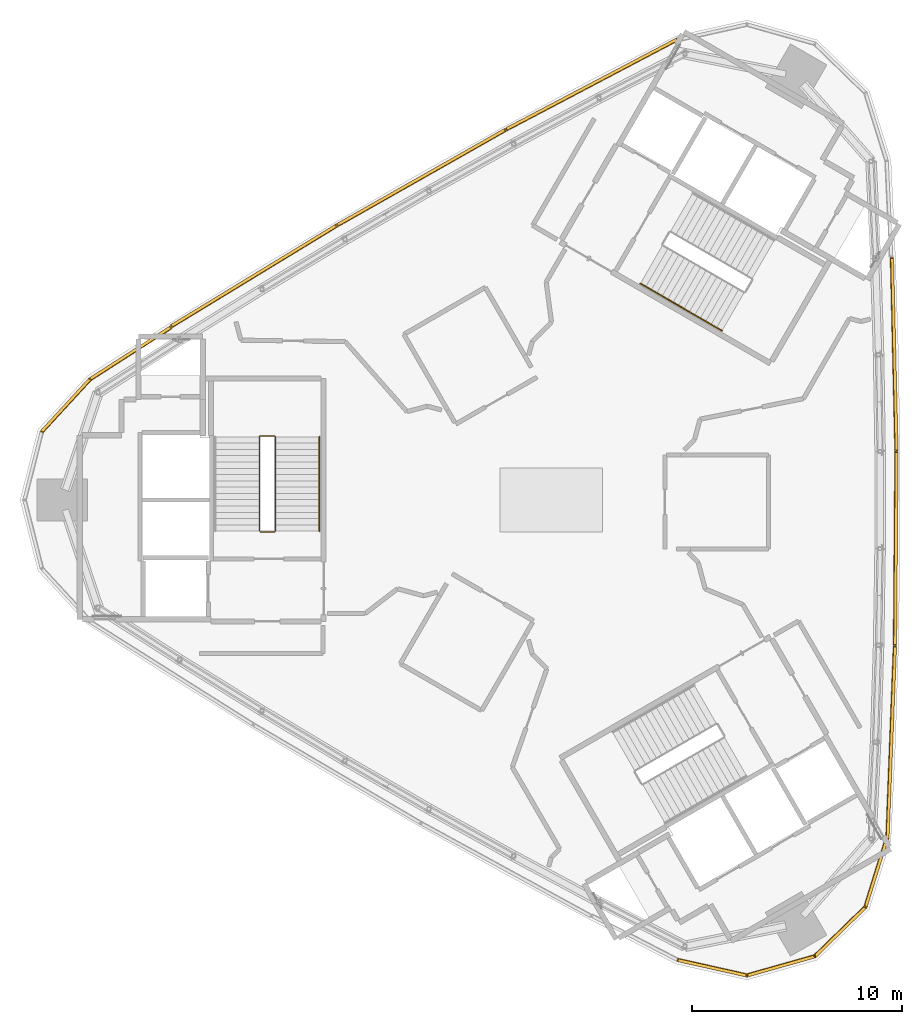
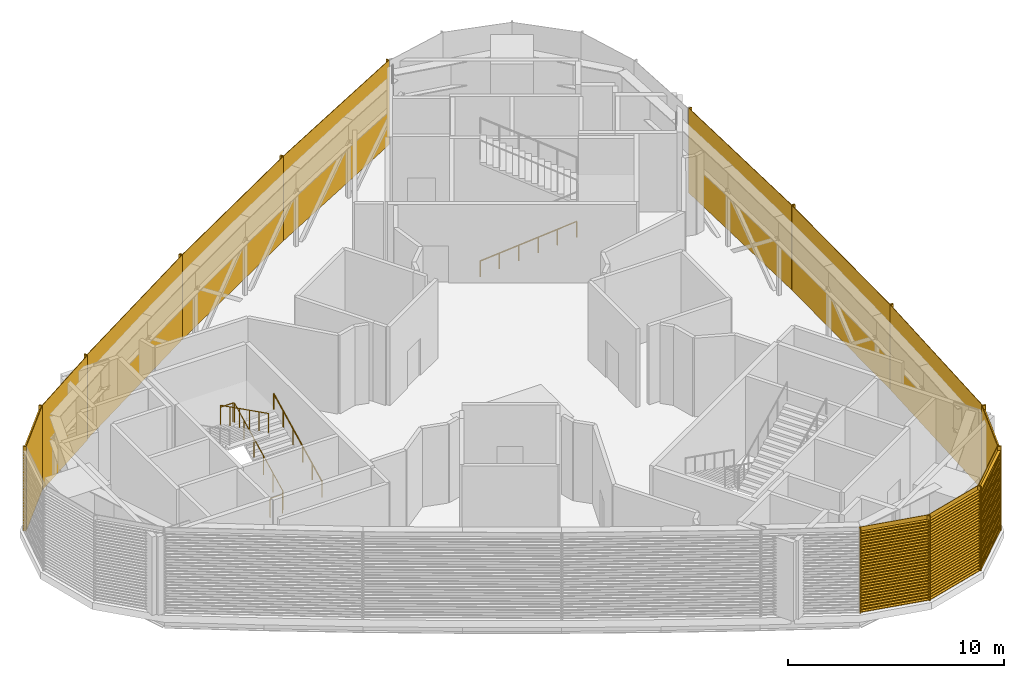
# One storey, part 20 of 21: 12 coverings, 3 railings.
"""IFC4 building model written with IfcOpenShell, lengths in metres."""

from ifc_helpers import new_model, si_unit, direction, frame, frame_2d, origin, origin_2d, place, context, subcontext, project, spatial, rectangle, circle, extrude, source, transform, mapped, material, type_object, element, save


model = new_model("IFC4")

# Units and contexts
model_context = context("Model", 3, precision=1e-05, world=origin(), true_north=direction((0.0, 1.0)))
body_context = subcontext(model_context, "Body", "Model", "MODEL_VIEW")
ifc_project = project(units=[si_unit("LENGTHUNIT", "METRE"), si_unit("AREAUNIT", "SQUARE_METRE"), si_unit("VOLUMEUNIT", "CUBIC_METRE"), si_unit("PLANEANGLEUNIT", "RADIAN"), si_unit("MASSUNIT", "GRAM", prefix="KILO")], contexts=[model_context])

# Site, building, storey
site_placement = place(None, origin())
site = spatial("IfcSite", under=ifc_project, at=site_placement, CompositionType="ELEMENT")
building_placement = place(site_placement, origin())
building = spatial("IfcBuilding", under=site, at=building_placement, Name="Tamra Quay Hotel Tower", CompositionType="ELEMENT")
storey_placement = place(building_placement, frame((0.0, 0.0, 301.800048828125)))
storey = spatial("IfcBuildingStorey", under=building, at=storey_placement, Name="L76", CompositionType="ELEMENT", Elevation=301.800048828125)

# Railings
ifc_material_1 = material(Name="Stair guard 1100")
railing_type_1 = type_object("IfcRailingType", Name="Stair guard 1100", PredefinedType="GUARDRAIL", material=ifc_material_1)
railing_1_placement = place(storey_placement, frame((-13.84130859375, -1.530029296875, 0.0)))
element("IfcRailing", 1, at=railing_1_placement, inside=storey, type_object=railing_type_1, Name="GR", PredefinedType="GUARDRAIL", context=body_context, shape_type="SweptSolid", body=[
    extrude(circle(Radius=0.02392578125, at=origin_2d()), frame((0.0, 0.0, 1.076171875), z_axis=(1.0, 0.0, 0.0), x_axis=(0.0, 1.0, 0.0)), (0.0, 0.0, 1.0), 0.658935546875),
    extrude(circle(Radius=0.02392578125, at=origin_2d()), frame((0.658935546875, 0.0, 1.076171875), z_axis=(0.301912943143, 0.301912943143, 0.904266083366), x_axis=(-0.707106781187, 0.707106781187, 0.0)), (0.0, 0.0, 1.0), 0.165771484375),
    extrude(circle(Radius=0.02392578125, at=origin_2d()), frame((0.708984375, 0.050048828125, 1.22607421875), z_axis=(0.0, 0.893823034308, 0.448419873935), x_axis=(-1.0, 0.0, 0.0)), (0.0, 0.0, 1.0), 5.017578125),
    extrude(circle(Radius=0.02392578125, at=origin_2d()), frame((0.708984375, 4.534912109375, 3.47607421875), z_axis=(-0.707106781187, 0.707106781187, 0.0), x_axis=(-0.707106781187, -0.707106781187, 0.0)), (0.0, 0.0, 1.0), 0.07080078125),
    extrude(circle(Radius=0.02392578125, at=origin_2d()), frame((0.658935546875, 4.5849609375, 3.47607421875), z_axis=(-1.0, 0.0, 0.0), x_axis=(0.0, -1.0, 0.0)), (0.0, 0.0, 1.0), 0.658935546875),
    extrude(circle(Radius=0.02392578125, at=origin_2d()), frame((0.0, 4.5849609375, 3.47607421875), z_axis=(-0.301511344578, -0.301511344578, 0.904534033733), x_axis=(0.707106781187, -0.707106781187, 0.0)), (0.0, 0.0, 1.0), 0.166015625),
    extrude(circle(Radius=0.02392578125, at=origin_2d()), frame((-0.050048828125, 4.534912109375, 3.6259765625), z_axis=(0.0, -0.893823034308, 0.448419873935), x_axis=(1.0, 0.0, 0.0)), (0.0, 0.0, 1.0), 5.017578125),
    extrude(circle(Radius=0.02099609375, at=origin_2d()), origin(), (0.0, 0.0, 1.0), 1.052001953125),
    extrude(circle(Radius=0.02099609375, at=origin_2d()), frame((0.658935546875, 0.0, 0.0)), (0.0, 0.0, 1.0), 1.052001953125),
    extrude(circle(Radius=0.02099609375, at=origin_2d()), frame((0.708984375, 0.050048828125, 0.14990234375)), (0.0, 0.0, 1.0), 1.052001953125),
    extrude(circle(Radius=0.02099609375, at=origin_2d()), frame((0.708984375, 0.947021484375, 0.599853515625)), (0.0, 0.0, 1.0), 1.052001953125),
    extrude(circle(Radius=0.02099609375, at=origin_2d()), frame((0.708984375, 1.843994140625, 1.0498046875)), (0.0, 0.0, 1.0), 1.052001953125),
    extrude(circle(Radius=0.02099609375, at=origin_2d()), frame((0.708984375, 2.740966796875, 1.5)), (0.0, 0.0, 1.0), 1.052001953125),
    extrude(circle(Radius=0.02099609375, at=origin_2d()), frame((0.708984375, 3.637939453125, 1.949951171875)), (0.0, 0.0, 1.0), 1.052001953125),
    extrude(circle(Radius=0.02099609375, at=origin_2d()), frame((0.708984375, 4.534912109375, 2.39990234375)), (0.0, 0.0, 1.0), 1.052001953125),
    extrude(circle(Radius=0.02099609375, at=origin_2d()), frame((0.658935546875, 4.5849609375, 2.39990234375)), (0.0, 0.0, 1.0), 1.052001953125),
    extrude(circle(Radius=0.02099609375, at=origin_2d()), frame((0.0, 4.5849609375, 2.39990234375)), (0.0, 0.0, 1.0), 1.052001953125),
    extrude(circle(Radius=0.02099609375, at=origin_2d()), frame((-0.050048828125, 4.534912109375, 2.550048828125)), (0.0, 0.0, 1.0), 1.052001953125),
    extrude(circle(Radius=0.02099609375, at=origin_2d()), frame((-0.050048828125, 3.637939453125, 3.0)), (0.0, 0.0, 1.0), 1.052001953125),
    extrude(circle(Radius=0.02099609375, at=origin_2d()), frame((-0.050048828125, 2.740966796875, 3.449951171875)), (0.0, 0.0, 1.0), 1.052001953125),
    extrude(circle(Radius=0.02099609375, at=origin_2d()), frame((-0.050048828125, 1.843994140625, 3.900146484375)), (0.0, 0.0, 1.0), 1.052001953125),
    extrude(circle(Radius=0.02099609375, at=origin_2d()), frame((-0.050048828125, 0.947021484375, 4.35009765625)), (0.0, 0.0, 1.0), 1.052001953125),
    extrude(circle(Radius=0.02099609375, at=origin_2d()), frame((-0.050048828125, 0.050048828125, 4.800048828125)), (0.0, 0.0, 1.0), 1.052001953125),
])
ifc_material_2 = material(Name="Stair handrail 900")
railing_type_2 = type_object("IfcRailingType", Name="Stair handrail 900", PredefinedType="HANDRAIL", material=ifc_material_2)
railing_2_placement = place(storey_placement, frame((-11.0322265625, -1.47998046875, 0.14990234375)))
element("IfcRailing", 2, at=railing_2_placement, inside=storey, type_object=railing_type_2, Name="HR", PredefinedType="HANDRAIL", context=body_context, shape_type="SweptSolid", body=[
    extrude(circle(Radius=0.02392578125, at=origin_2d()), frame((0.0, 0.0, 0.8759765625), z_axis=(0.0, 0.893823034308, 0.448419873935), x_axis=(-1.0, 0.0, 0.0)), (0.0, 0.0, 1.0), 5.017578125),
    extrude(circle(Radius=0.02099609375, at=origin_2d()), origin(), (0.0, 0.0, 1.0), 0.851806640625),
    extrude(circle(Radius=0.02099609375, at=origin_2d()), frame((0.0, 0.89697265625, 0.449951171875)), (0.0, 0.0, 1.0), 0.851806640625),
    extrude(circle(Radius=0.02099609375, at=origin_2d()), frame((0.0, 1.7939453125, 0.89990234375)), (0.0, 0.0, 1.0), 0.851806640625),
    extrude(circle(Radius=0.02099609375, at=origin_2d()), frame((0.0, 2.69091796875, 1.35009765625)), (0.0, 0.0, 1.0), 0.851806640625),
    extrude(circle(Radius=0.02099609375, at=origin_2d()), frame((0.0, 3.587890625, 1.800048828125)), (0.0, 0.0, 1.0), 0.851806640625),
    extrude(circle(Radius=0.02099609375, at=origin_2d()), frame((0.0, 4.48486328125, 2.25)), (0.0, 0.0, 1.0), 0.851806640625),
])
railing_3_placement = place(storey_placement, frame((4.234375, 10.294189453125, 0.14990234375)))
element("IfcRailing", 3, at=railing_3_placement, inside=storey, type_object=railing_type_2, Name="HR", PredefinedType="HANDRAIL", context=body_context, shape_type="SweptSolid", body=[
    extrude(circle(Radius=0.02392578125, at=origin_2d()), frame((0.0, 0.0, 0.8759765625), z_axis=(0.774075664405, -0.446909609502, 0.448417959844), x_axis=(0.499997328569, 0.86602694613, 0.0)), (0.0, 0.0, 1.0), 5.017578125),
    extrude(circle(Radius=0.02099609375, at=origin_2d()), origin(), (0.0, 0.0, 1.0), 0.851806640625),
    extrude(circle(Radius=0.02099609375, at=origin_2d()), frame((0.77685546875, -0.448486328125, 0.449951171875)), (0.0, 0.0, 1.0), 0.851806640625),
    extrude(circle(Radius=0.02099609375, at=origin_2d()), frame((1.5537109375, -0.89697265625, 0.89990234375)), (0.0, 0.0, 1.0), 0.851806640625),
    extrude(circle(Radius=0.02099609375, at=origin_2d()), frame((2.330322265625, -1.345458984375, 1.35009765625)), (0.0, 0.0, 1.0), 0.851806640625),
    extrude(circle(Radius=0.02099609375, at=origin_2d()), frame((3.107177734375, -1.7939453125, 1.800048828125)), (0.0, 0.0, 1.0), 0.851806640625),
    extrude(circle(Radius=0.02099609375, at=origin_2d()), frame((3.884033203125, -2.242431640625, 2.25)), (0.0, 0.0, 1.0), 0.851806640625),
])

# Coverings
ifc_material_3 = material(Name="Terracotta louvre panel", Category="masonry")
covering_type = type_object("IfcCoveringType", Name="PLANT LOUVRE H4800", PredefinedType="USERDEFINED", material=ifc_material_3)
shared_shape_1 = source(origin(), body_context, "Body", "SweptSolid", [
    extrude(rectangle(XDim=4.60009765625, YDim=0.030029296875, at=frame_2d((2.300048828125, 0.01513671875))), frame((-2.300048828125, -0.030029296875, 0.0)), (0.0, 0.0, 1.0), 4.800048828125),
    extrude(rectangle(XDim=0.050048828125, YDim=0.139892578125, at=frame_2d((0.02490234375, 0.06982421875))), frame((-2.300048828125, -0.169921875, 0.0)), (0.0, 0.0, 1.0), 4.800048828125),
    extrude(rectangle(XDim=0.050048828125, YDim=0.139892578125, at=frame_2d((0.02490234375, 0.06982421875))), frame((2.25, -0.169921875, 0.0)), (0.0, 0.0, 1.0), 4.800048828125),
    extrude(rectangle(XDim=4.5, YDim=0.139892578125, at=frame_2d((2.25, 0.06982421875))), frame((-2.25, -0.169921875, 0.050048828125)), (0.0, 0.0, 1.0), 0.034912109375),
    extrude(rectangle(XDim=4.5, YDim=0.139892578125, at=frame_2d((2.25, 0.06982421875))), frame((-2.25, -0.169921875, 0.2099609375)), (0.0, 0.0, 1.0), 0.034912109375),
    extrude(rectangle(XDim=4.5, YDim=0.139892578125, at=frame_2d((2.25, 0.06982421875))), frame((-2.25, -0.169921875, 0.3701171875)), (0.0, 0.0, 1.0), 0.034912109375),
    extrude(rectangle(XDim=4.5, YDim=0.139892578125, at=frame_2d((2.25, 0.06982421875))), frame((-2.25, -0.169921875, 0.530029296875)), (0.0, 0.0, 1.0), 0.034912109375),
    extrude(rectangle(XDim=4.5, YDim=0.139892578125, at=frame_2d((2.25, 0.06982421875))), frame((-2.25, -0.169921875, 0.68994140625)), (0.0, 0.0, 1.0), 0.034912109375),
    extrude(rectangle(XDim=4.5, YDim=0.139892578125, at=frame_2d((2.25, 0.06982421875))), frame((-2.25, -0.169921875, 0.85009765625)), (0.0, 0.0, 1.0), 0.034912109375),
    extrude(rectangle(XDim=4.5, YDim=0.139892578125, at=frame_2d((2.25, 0.06982421875))), frame((-2.25, -0.169921875, 1.010009765625)), (0.0, 0.0, 1.0), 0.034912109375),
    extrude(rectangle(XDim=4.5, YDim=0.139892578125, at=frame_2d((2.25, 0.06982421875))), frame((-2.25, -0.169921875, 1.169921875)), (0.0, 0.0, 1.0), 0.034912109375),
    extrude(rectangle(XDim=4.5, YDim=0.139892578125, at=frame_2d((2.25, 0.06982421875))), frame((-2.25, -0.169921875, 1.330078125)), (0.0, 0.0, 1.0), 0.034912109375),
    extrude(rectangle(XDim=4.5, YDim=0.139892578125, at=frame_2d((2.25, 0.06982421875))), frame((-2.25, -0.169921875, 1.489990234375)), (0.0, 0.0, 1.0), 0.034912109375),
    extrude(rectangle(XDim=4.5, YDim=0.139892578125, at=frame_2d((2.25, 0.06982421875))), frame((-2.25, -0.169921875, 1.64990234375)), (0.0, 0.0, 1.0), 0.034912109375),
    extrude(rectangle(XDim=4.5, YDim=0.139892578125, at=frame_2d((2.25, 0.06982421875))), frame((-2.25, -0.169921875, 1.81005859375)), (0.0, 0.0, 1.0), 0.034912109375),
    extrude(rectangle(XDim=4.5, YDim=0.139892578125, at=frame_2d((2.25, 0.06982421875))), frame((-2.25, -0.169921875, 1.969970703125)), (0.0, 0.0, 1.0), 0.034912109375),
    extrude(rectangle(XDim=4.5, YDim=0.139892578125, at=frame_2d((2.25, 0.06982421875))), frame((-2.25, -0.169921875, 2.1298828125)), (0.0, 0.0, 1.0), 0.034912109375),
    extrude(rectangle(XDim=4.5, YDim=0.139892578125, at=frame_2d((2.25, 0.06982421875))), frame((-2.25, -0.169921875, 2.2900390625)), (0.0, 0.0, 1.0), 0.034912109375),
    extrude(rectangle(XDim=4.5, YDim=0.139892578125, at=frame_2d((2.25, 0.06982421875))), frame((-2.25, -0.169921875, 2.449951171875)), (0.0, 0.0, 1.0), 0.034912109375),
    extrude(rectangle(XDim=4.5, YDim=0.139892578125, at=frame_2d((2.25, 0.06982421875))), frame((-2.25, -0.169921875, 2.610107421875)), (0.0, 0.0, 1.0), 0.034912109375),
    extrude(rectangle(XDim=4.5, YDim=0.139892578125, at=frame_2d((2.25, 0.06982421875))), frame((-2.25, -0.169921875, 2.77001953125)), (0.0, 0.0, 1.0), 0.034912109375),
    extrude(rectangle(XDim=4.5, YDim=0.139892578125, at=frame_2d((2.25, 0.06982421875))), frame((-2.25, -0.169921875, 2.929931640625)), (0.0, 0.0, 1.0), 0.034912109375),
    extrude(rectangle(XDim=4.5, YDim=0.139892578125, at=frame_2d((2.25, 0.06982421875))), frame((-2.25, -0.169921875, 3.090087890625)), (0.0, 0.0, 1.0), 0.034912109375),
    extrude(rectangle(XDim=4.5, YDim=0.139892578125, at=frame_2d((2.25, 0.06982421875))), frame((-2.25, -0.169921875, 3.25)), (0.0, 0.0, 1.0), 0.034912109375),
    extrude(rectangle(XDim=4.5, YDim=0.139892578125, at=frame_2d((2.25, 0.06982421875))), frame((-2.25, -0.169921875, 3.409912109375)), (0.0, 0.0, 1.0), 0.034912109375),
    extrude(rectangle(XDim=4.5, YDim=0.139892578125, at=frame_2d((2.25, 0.06982421875))), frame((-2.25, -0.169921875, 3.570068359375)), (0.0, 0.0, 1.0), 0.034912109375),
    extrude(rectangle(XDim=4.5, YDim=0.139892578125, at=frame_2d((2.25, 0.06982421875))), frame((-2.25, -0.169921875, 3.72998046875)), (0.0, 0.0, 1.0), 0.034912109375),
    extrude(rectangle(XDim=4.5, YDim=0.139892578125, at=frame_2d((2.25, 0.06982421875))), frame((-2.25, -0.169921875, 3.889892578125)), (0.0, 0.0, 1.0), 0.034912109375),
    extrude(rectangle(XDim=4.5, YDim=0.139892578125, at=frame_2d((2.25, 0.06982421875))), frame((-2.25, -0.169921875, 4.050048828125)), (0.0, 0.0, 1.0), 0.034912109375),
    extrude(rectangle(XDim=4.5, YDim=0.139892578125, at=frame_2d((2.25, 0.06982421875))), frame((-2.25, -0.169921875, 4.2099609375)), (0.0, 0.0, 1.0), 0.034912109375),
    extrude(rectangle(XDim=4.5, YDim=0.139892578125, at=frame_2d((2.25, 0.06982421875))), frame((-2.25, -0.169921875, 4.3701171875)), (0.0, 0.0, 1.0), 0.034912109375),
    extrude(rectangle(XDim=4.5, YDim=0.139892578125, at=frame_2d((2.25, 0.06982421875))), frame((-2.25, -0.169921875, 4.530029296875)), (0.0, 0.0, 1.0), 0.034912109375),
])
covering_placement = place(storey_placement, frame((-19.9716796875, 6.89892578125, 0.0), z_axis=(0.0, 0.0, 1.0), x_axis=(-0.841664964506, -0.54000008104, 0.0)))
element("IfcCovering", 4, at=covering_placement, inside=storey, type_object=covering_type, Name="Plant louvre L76.NW.f06", ObjectType="LOUVER", PredefinedType="USERDEFINED", context=body_context, shape_type="MappedRepresentation", body=[
    mapped(shared_shape_1, transform((0.0, 0.0, 0.0), scale=1.0)),
])
shared_shape_2 = source(origin(), body_context, "Body", "SweptSolid", [
    extrude(rectangle(XDim=9.219970703125, YDim=0.030029296875, at=frame_2d((4.60986328125, 0.01513671875))), frame((-4.610107421875, -0.030029296875, 0.0)), (0.0, 0.0, 1.0), 4.800048828125),
    extrude(rectangle(XDim=0.050048828125, YDim=0.139892578125, at=frame_2d((0.02490234375, 0.06982421875))), frame((-4.610107421875, -0.169921875, 0.0)), (0.0, 0.0, 1.0), 4.800048828125),
    extrude(rectangle(XDim=0.050048828125, YDim=0.139892578125, at=frame_2d((0.02490234375, 0.06982421875))), frame((4.56005859375, -0.169921875, 0.0)), (0.0, 0.0, 1.0), 4.800048828125),
    extrude(rectangle(XDim=9.1201171875, YDim=0.139892578125, at=frame_2d((4.56005859375, 0.06982421875))), frame((-4.56005859375, -0.169921875, 0.050048828125)), (0.0, 0.0, 1.0), 0.034912109375),
    extrude(rectangle(XDim=9.1201171875, YDim=0.139892578125, at=frame_2d((4.56005859375, 0.06982421875))), frame((-4.56005859375, -0.169921875, 0.2099609375)), (0.0, 0.0, 1.0), 0.034912109375),
    extrude(rectangle(XDim=9.1201171875, YDim=0.139892578125, at=frame_2d((4.56005859375, 0.06982421875))), frame((-4.56005859375, -0.169921875, 0.3701171875)), (0.0, 0.0, 1.0), 0.034912109375),
    extrude(rectangle(XDim=9.1201171875, YDim=0.139892578125, at=frame_2d((4.56005859375, 0.06982421875))), frame((-4.56005859375, -0.169921875, 0.530029296875)), (0.0, 0.0, 1.0), 0.034912109375),
    extrude(rectangle(XDim=9.1201171875, YDim=0.139892578125, at=frame_2d((4.56005859375, 0.06982421875))), frame((-4.56005859375, -0.169921875, 0.68994140625)), (0.0, 0.0, 1.0), 0.034912109375),
    extrude(rectangle(XDim=9.1201171875, YDim=0.139892578125, at=frame_2d((4.56005859375, 0.06982421875))), frame((-4.56005859375, -0.169921875, 0.85009765625)), (0.0, 0.0, 1.0), 0.034912109375),
    extrude(rectangle(XDim=9.1201171875, YDim=0.139892578125, at=frame_2d((4.56005859375, 0.06982421875))), frame((-4.56005859375, -0.169921875, 1.010009765625)), (0.0, 0.0, 1.0), 0.034912109375),
    extrude(rectangle(XDim=9.1201171875, YDim=0.139892578125, at=frame_2d((4.56005859375, 0.06982421875))), frame((-4.56005859375, -0.169921875, 1.169921875)), (0.0, 0.0, 1.0), 0.034912109375),
    extrude(rectangle(XDim=9.1201171875, YDim=0.139892578125, at=frame_2d((4.56005859375, 0.06982421875))), frame((-4.56005859375, -0.169921875, 1.330078125)), (0.0, 0.0, 1.0), 0.034912109375),
    extrude(rectangle(XDim=9.1201171875, YDim=0.139892578125, at=frame_2d((4.56005859375, 0.06982421875))), frame((-4.56005859375, -0.169921875, 1.489990234375)), (0.0, 0.0, 1.0), 0.034912109375),
    extrude(rectangle(XDim=9.1201171875, YDim=0.139892578125, at=frame_2d((4.56005859375, 0.06982421875))), frame((-4.56005859375, -0.169921875, 1.64990234375)), (0.0, 0.0, 1.0), 0.034912109375),
    extrude(rectangle(XDim=9.1201171875, YDim=0.139892578125, at=frame_2d((4.56005859375, 0.06982421875))), frame((-4.56005859375, -0.169921875, 1.81005859375)), (0.0, 0.0, 1.0), 0.034912109375),
    extrude(rectangle(XDim=9.1201171875, YDim=0.139892578125, at=frame_2d((4.56005859375, 0.06982421875))), frame((-4.56005859375, -0.169921875, 1.969970703125)), (0.0, 0.0, 1.0), 0.034912109375),
    extrude(rectangle(XDim=9.1201171875, YDim=0.139892578125, at=frame_2d((4.56005859375, 0.06982421875))), frame((-4.56005859375, -0.169921875, 2.1298828125)), (0.0, 0.0, 1.0), 0.034912109375),
    extrude(rectangle(XDim=9.1201171875, YDim=0.139892578125, at=frame_2d((4.56005859375, 0.06982421875))), frame((-4.56005859375, -0.169921875, 2.2900390625)), (0.0, 0.0, 1.0), 0.034912109375),
    extrude(rectangle(XDim=9.1201171875, YDim=0.139892578125, at=frame_2d((4.56005859375, 0.06982421875))), frame((-4.56005859375, -0.169921875, 2.449951171875)), (0.0, 0.0, 1.0), 0.034912109375),
    extrude(rectangle(XDim=9.1201171875, YDim=0.139892578125, at=frame_2d((4.56005859375, 0.06982421875))), frame((-4.56005859375, -0.169921875, 2.610107421875)), (0.0, 0.0, 1.0), 0.034912109375),
    extrude(rectangle(XDim=9.1201171875, YDim=0.139892578125, at=frame_2d((4.56005859375, 0.06982421875))), frame((-4.56005859375, -0.169921875, 2.77001953125)), (0.0, 0.0, 1.0), 0.034912109375),
    extrude(rectangle(XDim=9.1201171875, YDim=0.139892578125, at=frame_2d((4.56005859375, 0.06982421875))), frame((-4.56005859375, -0.169921875, 2.929931640625)), (0.0, 0.0, 1.0), 0.034912109375),
    extrude(rectangle(XDim=9.1201171875, YDim=0.139892578125, at=frame_2d((4.56005859375, 0.06982421875))), frame((-4.56005859375, -0.169921875, 3.090087890625)), (0.0, 0.0, 1.0), 0.034912109375),
    extrude(rectangle(XDim=9.1201171875, YDim=0.139892578125, at=frame_2d((4.56005859375, 0.06982421875))), frame((-4.56005859375, -0.169921875, 3.25)), (0.0, 0.0, 1.0), 0.034912109375),
    extrude(rectangle(XDim=9.1201171875, YDim=0.139892578125, at=frame_2d((4.56005859375, 0.06982421875))), frame((-4.56005859375, -0.169921875, 3.409912109375)), (0.0, 0.0, 1.0), 0.034912109375),
    extrude(rectangle(XDim=9.1201171875, YDim=0.139892578125, at=frame_2d((4.56005859375, 0.06982421875))), frame((-4.56005859375, -0.169921875, 3.570068359375)), (0.0, 0.0, 1.0), 0.034912109375),
    extrude(rectangle(XDim=9.1201171875, YDim=0.139892578125, at=frame_2d((4.56005859375, 0.06982421875))), frame((-4.56005859375, -0.169921875, 3.72998046875)), (0.0, 0.0, 1.0), 0.034912109375),
    extrude(rectangle(XDim=9.1201171875, YDim=0.139892578125, at=frame_2d((4.56005859375, 0.06982421875))), frame((-4.56005859375, -0.169921875, 3.889892578125)), (0.0, 0.0, 1.0), 0.034912109375),
    extrude(rectangle(XDim=9.1201171875, YDim=0.139892578125, at=frame_2d((4.56005859375, 0.06982421875))), frame((-4.56005859375, -0.169921875, 4.050048828125)), (0.0, 0.0, 1.0), 0.034912109375),
    extrude(rectangle(XDim=9.1201171875, YDim=0.139892578125, at=frame_2d((4.56005859375, 0.06982421875))), frame((-4.56005859375, -0.169921875, 4.2099609375)), (0.0, 0.0, 1.0), 0.034912109375),
    extrude(rectangle(XDim=9.1201171875, YDim=0.139892578125, at=frame_2d((4.56005859375, 0.06982421875))), frame((-4.56005859375, -0.169921875, 4.3701171875)), (0.0, 0.0, 1.0), 0.034912109375),
    extrude(rectangle(XDim=9.1201171875, YDim=0.139892578125, at=frame_2d((4.56005859375, 0.06982421875))), frame((-4.56005859375, -0.169921875, 4.530029296875)), (0.0, 0.0, 1.0), 0.034912109375),
])
for number, where, z_axis, x_axis, name in (
    (5, (16.068603515625, -11.54052734375, 0.0), (0.0, 0.0, 1.0), (0.039033256764, 0.999237912044, 0.0), "Plant louvre L76.E.f00"),
    (6, (16.28515625, -2.30859375, 0.0), (0.0, 0.0, 1.0), (0.007816171659, 0.999969453264, 0.0), "Plant louvre L76.E.f02"),
    (7, (16.212890625, 6.92529296875, 0.0), (0.0, 0.0, 1.0), (-0.023437235304, 0.999725310273, 0.0), "Plant louvre L76.E.f04"),
    (8, (1.9599609375, 19.68603515625, 0.0), (0.0, 0.0, 1.0), (-0.884882044637, -0.465815164072, 0.0), "Plant louvre L76.NW.f00"),
    (9, (-6.14306640625, 15.257568359375, 0.0), (0.0, 0.0, 1.0), (-0.869907035364, -0.493215723415, 0.0), "Plant louvre L76.NW.f02"),
    (10, (-14.10400390625, 10.578125, 0.0), (0.0, 0.0, 1.0), (-0.854068897851, -0.520159896304, 0.0), "Plant louvre L76.NW.f04"),
):
    element("IfcCovering", number, at=place(storey_placement, frame(where, z_axis=z_axis, x_axis=x_axis)), inside=storey, type_object=covering_type, Name=name, ObjectType="LOUVER", PredefinedType="USERDEFINED", context=body_context, shape_type="MappedRepresentation", body=[
        mapped(shared_shape_2, transform((0.0, 0.0, 0.0), scale=1.0)),
    ])
shared_shape_3 = source(origin(), body_context, "Body", "SweptSolid", [
    extrude(rectangle(XDim=3.43994140625, YDim=0.030029296875, at=frame_2d((1.719970703125, 0.01513671875))), frame((-1.719970703125, -0.030029296875, 0.0)), (0.0, 0.0, 1.0), 4.800048828125),
    extrude(rectangle(XDim=0.050048828125, YDim=0.139892578125, at=frame_2d((0.02490234375, 0.06982421875))), frame((-1.719970703125, -0.169921875, 0.0)), (0.0, 0.0, 1.0), 4.800048828125),
    extrude(rectangle(XDim=0.050048828125, YDim=0.139892578125, at=frame_2d((0.02490234375, 0.06982421875))), frame((1.669921875, -0.169921875, 0.0)), (0.0, 0.0, 1.0), 4.800048828125),
    extrude(rectangle(XDim=3.340087890625, YDim=0.139892578125, at=frame_2d((1.669921875, 0.06982421875))), frame((-1.669921875, -0.169921875, 0.050048828125)), (0.0, 0.0, 1.0), 0.034912109375),
    extrude(rectangle(XDim=3.340087890625, YDim=0.139892578125, at=frame_2d((1.669921875, 0.06982421875))), frame((-1.669921875, -0.169921875, 0.2099609375)), (0.0, 0.0, 1.0), 0.034912109375),
    extrude(rectangle(XDim=3.340087890625, YDim=0.139892578125, at=frame_2d((1.669921875, 0.06982421875))), frame((-1.669921875, -0.169921875, 0.3701171875)), (0.0, 0.0, 1.0), 0.034912109375),
    extrude(rectangle(XDim=3.340087890625, YDim=0.139892578125, at=frame_2d((1.669921875, 0.06982421875))), frame((-1.669921875, -0.169921875, 0.530029296875)), (0.0, 0.0, 1.0), 0.034912109375),
    extrude(rectangle(XDim=3.340087890625, YDim=0.139892578125, at=frame_2d((1.669921875, 0.06982421875))), frame((-1.669921875, -0.169921875, 0.68994140625)), (0.0, 0.0, 1.0), 0.034912109375),
    extrude(rectangle(XDim=3.340087890625, YDim=0.139892578125, at=frame_2d((1.669921875, 0.06982421875))), frame((-1.669921875, -0.169921875, 0.85009765625)), (0.0, 0.0, 1.0), 0.034912109375),
    extrude(rectangle(XDim=3.340087890625, YDim=0.139892578125, at=frame_2d((1.669921875, 0.06982421875))), frame((-1.669921875, -0.169921875, 1.010009765625)), (0.0, 0.0, 1.0), 0.034912109375),
    extrude(rectangle(XDim=3.340087890625, YDim=0.139892578125, at=frame_2d((1.669921875, 0.06982421875))), frame((-1.669921875, -0.169921875, 1.169921875)), (0.0, 0.0, 1.0), 0.034912109375),
    extrude(rectangle(XDim=3.340087890625, YDim=0.139892578125, at=frame_2d((1.669921875, 0.06982421875))), frame((-1.669921875, -0.169921875, 1.330078125)), (0.0, 0.0, 1.0), 0.034912109375),
    extrude(rectangle(XDim=3.340087890625, YDim=0.139892578125, at=frame_2d((1.669921875, 0.06982421875))), frame((-1.669921875, -0.169921875, 1.489990234375)), (0.0, 0.0, 1.0), 0.034912109375),
    extrude(rectangle(XDim=3.340087890625, YDim=0.139892578125, at=frame_2d((1.669921875, 0.06982421875))), frame((-1.669921875, -0.169921875, 1.64990234375)), (0.0, 0.0, 1.0), 0.034912109375),
    extrude(rectangle(XDim=3.340087890625, YDim=0.139892578125, at=frame_2d((1.669921875, 0.06982421875))), frame((-1.669921875, -0.169921875, 1.81005859375)), (0.0, 0.0, 1.0), 0.034912109375),
    extrude(rectangle(XDim=3.340087890625, YDim=0.139892578125, at=frame_2d((1.669921875, 0.06982421875))), frame((-1.669921875, -0.169921875, 1.969970703125)), (0.0, 0.0, 1.0), 0.034912109375),
    extrude(rectangle(XDim=3.340087890625, YDim=0.139892578125, at=frame_2d((1.669921875, 0.06982421875))), frame((-1.669921875, -0.169921875, 2.1298828125)), (0.0, 0.0, 1.0), 0.034912109375),
    extrude(rectangle(XDim=3.340087890625, YDim=0.139892578125, at=frame_2d((1.669921875, 0.06982421875))), frame((-1.669921875, -0.169921875, 2.2900390625)), (0.0, 0.0, 1.0), 0.034912109375),
    extrude(rectangle(XDim=3.340087890625, YDim=0.139892578125, at=frame_2d((1.669921875, 0.06982421875))), frame((-1.669921875, -0.169921875, 2.449951171875)), (0.0, 0.0, 1.0), 0.034912109375),
    extrude(rectangle(XDim=3.340087890625, YDim=0.139892578125, at=frame_2d((1.669921875, 0.06982421875))), frame((-1.669921875, -0.169921875, 2.610107421875)), (0.0, 0.0, 1.0), 0.034912109375),
    extrude(rectangle(XDim=3.340087890625, YDim=0.139892578125, at=frame_2d((1.669921875, 0.06982421875))), frame((-1.669921875, -0.169921875, 2.77001953125)), (0.0, 0.0, 1.0), 0.034912109375),
    extrude(rectangle(XDim=3.340087890625, YDim=0.139892578125, at=frame_2d((1.669921875, 0.06982421875))), frame((-1.669921875, -0.169921875, 2.929931640625)), (0.0, 0.0, 1.0), 0.034912109375),
    extrude(rectangle(XDim=3.340087890625, YDim=0.139892578125, at=frame_2d((1.669921875, 0.06982421875))), frame((-1.669921875, -0.169921875, 3.090087890625)), (0.0, 0.0, 1.0), 0.034912109375),
    extrude(rectangle(XDim=3.340087890625, YDim=0.139892578125, at=frame_2d((1.669921875, 0.06982421875))), frame((-1.669921875, -0.169921875, 3.25)), (0.0, 0.0, 1.0), 0.034912109375),
    extrude(rectangle(XDim=3.340087890625, YDim=0.139892578125, at=frame_2d((1.669921875, 0.06982421875))), frame((-1.669921875, -0.169921875, 3.409912109375)), (0.0, 0.0, 1.0), 0.034912109375),
    extrude(rectangle(XDim=3.340087890625, YDim=0.139892578125, at=frame_2d((1.669921875, 0.06982421875))), frame((-1.669921875, -0.169921875, 3.570068359375)), (0.0, 0.0, 1.0), 0.034912109375),
    extrude(rectangle(XDim=3.340087890625, YDim=0.139892578125, at=frame_2d((1.669921875, 0.06982421875))), frame((-1.669921875, -0.169921875, 3.72998046875)), (0.0, 0.0, 1.0), 0.034912109375),
    extrude(rectangle(XDim=3.340087890625, YDim=0.139892578125, at=frame_2d((1.669921875, 0.06982421875))), frame((-1.669921875, -0.169921875, 3.889892578125)), (0.0, 0.0, 1.0), 0.034912109375),
    extrude(rectangle(XDim=3.340087890625, YDim=0.139892578125, at=frame_2d((1.669921875, 0.06982421875))), frame((-1.669921875, -0.169921875, 4.050048828125)), (0.0, 0.0, 1.0), 0.034912109375),
    extrude(rectangle(XDim=3.340087890625, YDim=0.139892578125, at=frame_2d((1.669921875, 0.06982421875))), frame((-1.669921875, -0.169921875, 4.2099609375)), (0.0, 0.0, 1.0), 0.034912109375),
    extrude(rectangle(XDim=3.340087890625, YDim=0.139892578125, at=frame_2d((1.669921875, 0.06982421875))), frame((-1.669921875, -0.169921875, 4.3701171875)), (0.0, 0.0, 1.0), 0.034912109375),
    extrude(rectangle(XDim=3.340087890625, YDim=0.139892578125, at=frame_2d((1.669921875, 0.06982421875))), frame((-1.669921875, -0.169921875, 4.530029296875)), (0.0, 0.0, 1.0), 0.034912109375),
])
for number, where, z_axis, x_axis, name in (
    (11, (-23.031005859375, 4.4267578125, 0.0), (0.0, 0.0, 1.0), (-0.67737593284, -0.735637033875, 0.0), "Plant louvre L76.NW.c00"),
    (12, (7.681640625, -22.15869140625, 0.0), (0.0, 0.0, 1.0), (0.975768325721, -0.218806248814, 0.0), "Plant louvre L76.SW.c00"),
    (13, (10.8896484375, -22.070556640625, 0.0), (0.0, 0.0, 1.0), (0.96227963311, 0.272062323195, 0.0), "Plant louvre L76.SW.c01"),
    (14, (13.6689453125, -20.466064453125, 0.0), (0.0, 0.0, 1.0), (0.716752699854, 0.69732744622, 0.0), "Plant louvre L76.SW.c02"),
    (15, (15.34912109375, -17.73193359375, 0.0), (0.0, 0.0, 1.0), (0.29839239288, 0.954443282689, 0.0), "Plant louvre L76.SW.c03"),
):
    element("IfcCovering", number, at=place(storey_placement, frame(where, z_axis=z_axis, x_axis=x_axis)), inside=storey, type_object=covering_type, Name=name, ObjectType="LOUVER", PredefinedType="USERDEFINED", context=body_context, shape_type="MappedRepresentation", body=[
        mapped(shared_shape_3, transform((0.0, 0.0, 0.0), scale=1.0)),
    ])

save(model, "model.ifc")
